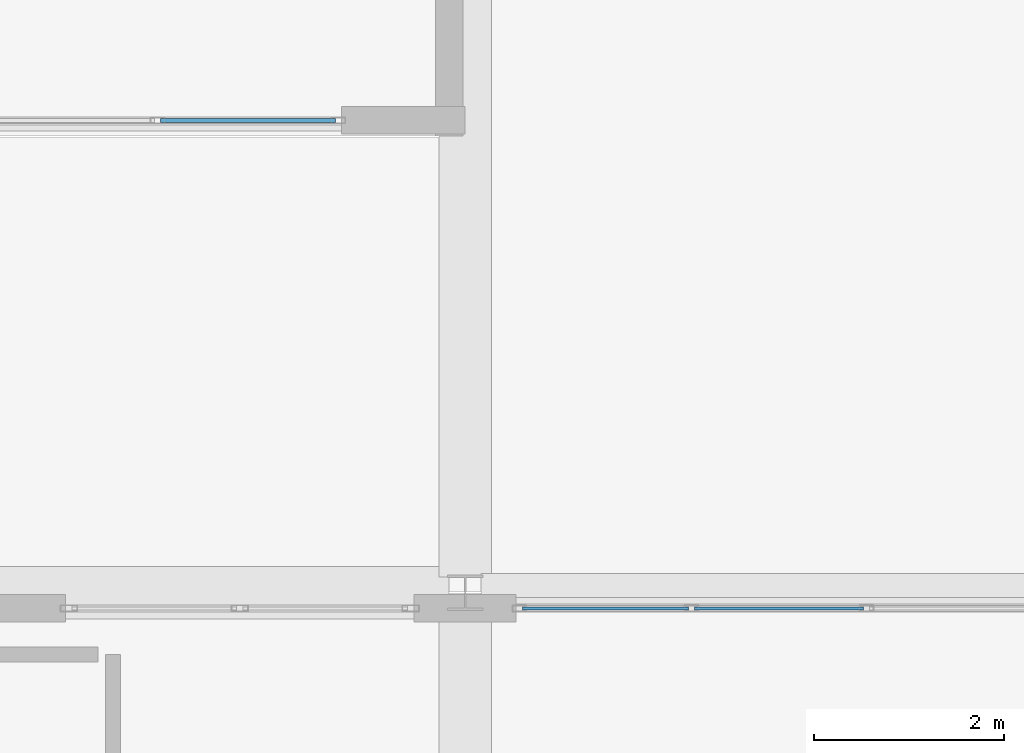
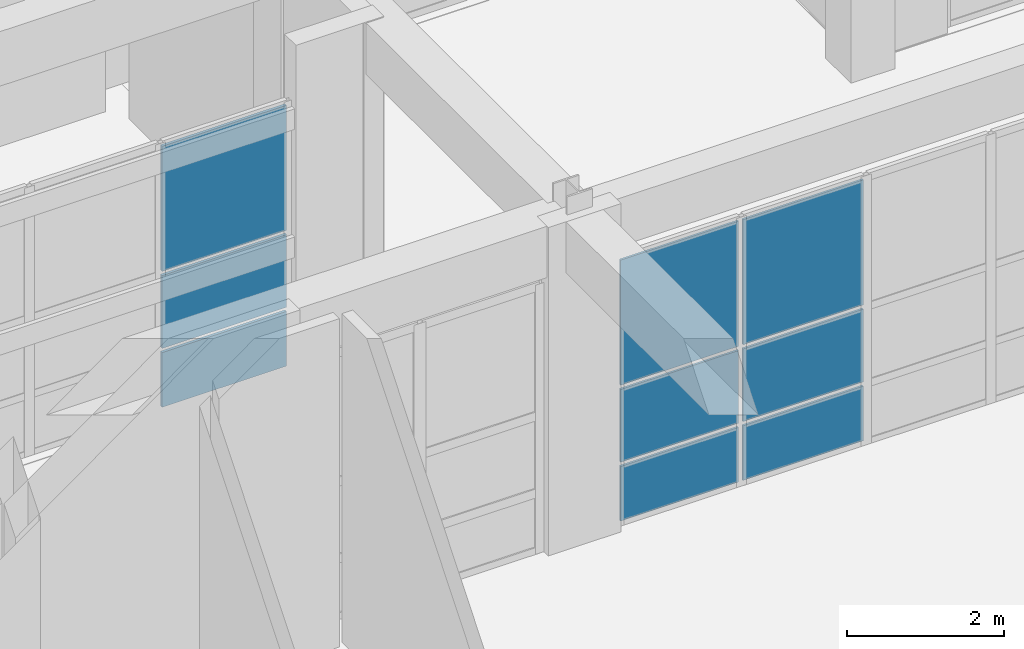
# One storey, part 117 of 148: 9 plates, 2 elements without a shape of their own.
"""IFC4 building model written with IfcOpenShell, lengths in metres."""

from ifc_helpers import new_model, si_unit, direction, frame, origin, origin_2d, place, context, subcontext, project, spatial, rectangle, extrude, material, layer, layer_set, type_object, element, aggregate, save


model = new_model("IFC4")

# Units and contexts
model_context = context("Model", 3, precision=1e-05, world=origin(), true_north=direction((0.0, 1.0)))
body_context = subcontext(model_context, "Body", "Model", "MODEL_VIEW")
ifc_project = project(units=[si_unit("LENGTHUNIT", "METRE"), si_unit("AREAUNIT", "SQUARE_METRE"), si_unit("VOLUMEUNIT", "CUBIC_METRE"), si_unit("PLANEANGLEUNIT", "RADIAN"), si_unit("MASSUNIT", "GRAM", prefix="KILO")], contexts=[model_context])

# Site, building, storey
site_placement = place(None, origin())
site = spatial("IfcSite", under=ifc_project, at=site_placement, CompositionType="ELEMENT")
building_placement = place(site_placement, origin())
building = spatial("IfcBuilding", under=site, at=building_placement, Name="Quendrovan Civic Courthouse", CompositionType="ELEMENT")
storey_placement = place(building_placement, origin())
storey = spatial("IfcBuildingStorey", under=building, at=storey_placement, Name="L01", CompositionType="ELEMENT", Elevation=0.0)

# Curtain wall, plates
ifc_material_1 = material(Name="Bronze anodised aluminium and low-E glass", Category="aluminium")
ifc_layer_1 = layer(ifc_material_1, 0.179931640625, Name="Bronze anodised aluminium and low-E glass")
ifc_layer_set_1 = layer_set([ifc_layer_1], Name="Bronze anodised aluminium and low-E glass")
curtain_wall_type_1 = type_object("IfcCurtainWallType", Name="CW-U74x42", PredefinedType="USERDEFINED", material=ifc_layer_set_1)
curtain_wall_1_placement = place(storey_placement, origin())
curtain_wall_1 = element("IfcCurtainWall", 1, at=curtain_wall_1_placement, inside=storey, type_object=curtain_wall_type_1, Name="L01 Unitised Hurricane Curtain Wall CW-053", ObjectType="UNITISED CURTAIN WALL", PredefinedType="USERDEFINED")
ifc_material_2 = material(Name="Laminated hurricane-impact low-E glass", Category="glass")
ifc_layer_2 = layer(ifc_material_2, 0.031982421875, Name="Laminated hurricane-impact low-E glass")
ifc_layer_set_2 = layer_set([ifc_layer_2], Name="Laminated hurricane-impact low-E glass")
plate_type_1 = type_object("IfcPlateType", Name="CW-PNL-2", PredefinedType="CURTAIN_PANEL", material=ifc_layer_set_2)
plate_1_placement = place(storey_placement, frame((93.87353515625, 80.235107421875, 0.06494140625), z_axis=(0.0, 0.0, 1.0), x_axis=(1.0, 0.0, 0.0)))
plate_1 = element("IfcPlate", 2, at=plate_1_placement, type_object=plate_type_1, Name="CW-053 panel 1.1", PredefinedType="CURTAIN_PANEL", context=body_context, shape_type="SweptSolid", body=[
    extrude(rectangle(XDim=1.7431640625, YDim=0.031982421875, at=origin_2d()), origin(), (0.0, 0.0, 1.0), 0.8525390625),
])
plate_2_placement = place(storey_placement, frame((93.87353515625, 80.235107421875, 0.982421875), z_axis=(0.0, 0.0, 1.0), x_axis=(1.0, 0.0, 0.0)))
plate_2 = element("IfcPlate", 3, at=plate_2_placement, type_object=plate_type_1, Name="CW-053 panel 1.2", PredefinedType="CURTAIN_PANEL", context=body_context, shape_type="SweptSolid", body=[
    extrude(rectangle(XDim=1.7431640625, YDim=0.031982421875, at=origin_2d()), origin(), (0.0, 0.0, 1.0), 1.135009765625),
])
plate_3_placement = place(storey_placement, frame((93.87353515625, 80.235107421875, 2.1826171875), z_axis=(0.0, 0.0, 1.0), x_axis=(1.0, 0.0, 0.0)))
plate_3 = element("IfcPlate", 4, at=plate_3_placement, type_object=plate_type_1, Name="CW-053 panel 1.3", PredefinedType="CURTAIN_PANEL", context=body_context, shape_type="SweptSolid", body=[
    extrude(rectangle(XDim=1.7431640625, YDim=0.031982421875, at=origin_2d()), origin(), (0.0, 0.0, 1.0), 1.952392578125),
])
plate_4_placement = place(storey_placement, frame((95.6982421875, 80.235107421875, 0.06494140625), z_axis=(0.0, 0.0, 1.0), x_axis=(1.0, 0.0, 0.0)))
plate_4 = element("IfcPlate", 5, at=plate_4_placement, type_object=plate_type_1, Name="CW-053 panel 2.1", PredefinedType="CURTAIN_PANEL", context=body_context, shape_type="SweptSolid", body=[
    extrude(rectangle(XDim=1.775634765625, YDim=0.031982421875, at=origin_2d()), origin(), (0.0, 0.0, 1.0), 0.8525390625),
])
plate_5_placement = place(storey_placement, frame((95.6982421875, 80.235107421875, 0.982421875), z_axis=(0.0, 0.0, 1.0), x_axis=(1.0, 0.0, 0.0)))
plate_5 = element("IfcPlate", 6, at=plate_5_placement, type_object=plate_type_1, Name="CW-053 panel 2.2", PredefinedType="CURTAIN_PANEL", context=body_context, shape_type="SweptSolid", body=[
    extrude(rectangle(XDim=1.775634765625, YDim=0.031982421875, at=origin_2d()), origin(), (0.0, 0.0, 1.0), 1.135009765625),
])
plate_6_placement = place(storey_placement, frame((95.6982421875, 80.235107421875, 2.1826171875), z_axis=(0.0, 0.0, 1.0), x_axis=(1.0, 0.0, 0.0)))
plate_6 = element("IfcPlate", 7, at=plate_6_placement, type_object=plate_type_1, Name="CW-053 panel 2.3", PredefinedType="CURTAIN_PANEL", context=body_context, shape_type="SweptSolid", body=[
    extrude(rectangle(XDim=1.775634765625, YDim=0.031982421875, at=origin_2d()), origin(), (0.0, 0.0, 1.0), 1.952392578125),
])
aggregate(curtain_wall_1, [plate_1, plate_2, plate_3, plate_4, plate_5, plate_6])

ifc_layer_3 = layer(ifc_material_1, 0.179931640625, Name="Bronze anodised aluminium and low-E glass")
ifc_layer_set_3 = layer_set([ifc_layer_3], Name="Bronze anodised aluminium and low-E glass")
curtain_wall_type_2 = type_object("IfcCurtainWallType", Name="CW-U58x42", PredefinedType="USERDEFINED", material=ifc_layer_set_3)
curtain_wall_2_placement = place(storey_placement, origin())
curtain_wall_2 = element("IfcCurtainWall", 8, at=curtain_wall_2_placement, inside=storey, type_object=curtain_wall_type_2, Name="L01 Unitised Hurricane Curtain Wall CW-051", ObjectType="UNITISED CURTAIN WALL", PredefinedType="USERDEFINED")
ifc_layer_4 = layer(ifc_material_2, 0.0419921875, Name="Laminated hurricane-impact low-E glass")
ifc_layer_set_4 = layer_set([ifc_layer_4], Name="Laminated hurricane-impact low-E glass")
plate_type_2 = type_object("IfcPlateType", Name="CW-PNL-4", PredefinedType="CURTAIN_PANEL", material=ifc_layer_set_4)
plate_7_placement = place(storey_placement, frame((90.1171875, 85.364990234375, 0.06494140625), z_axis=(0.0, 0.0, 1.0), x_axis=(-1.0, 0.0, 0.0)))
plate_7 = element("IfcPlate", 9, at=plate_7_placement, type_object=plate_type_2, Name="CW-051 panel 1.1", PredefinedType="CURTAIN_PANEL", context=body_context, shape_type="SweptSolid", body=[
    extrude(rectangle(XDim=1.8359375, YDim=0.0419921875, at=origin_2d()), origin(), (0.0, 0.0, 1.0), 0.8525390625),
])
plate_8_placement = place(storey_placement, frame((90.1171875, 85.364990234375, 0.982421875), z_axis=(0.0, 0.0, 1.0), x_axis=(-1.0, 0.0, 0.0)))
plate_8 = element("IfcPlate", 10, at=plate_8_placement, type_object=plate_type_2, Name="CW-051 panel 1.2", PredefinedType="CURTAIN_PANEL", context=body_context, shape_type="SweptSolid", body=[
    extrude(rectangle(XDim=1.8359375, YDim=0.0419921875, at=origin_2d()), origin(), (0.0, 0.0, 1.0), 1.135009765625),
])
plate_9_placement = place(storey_placement, frame((90.1171875, 85.364990234375, 2.1826171875), z_axis=(0.0, 0.0, 1.0), x_axis=(-1.0, 0.0, 0.0)))
plate_9 = element("IfcPlate", 11, at=plate_9_placement, type_object=plate_type_2, Name="CW-051 panel 1.3", PredefinedType="CURTAIN_PANEL", context=body_context, shape_type="SweptSolid", body=[
    extrude(rectangle(XDim=1.8359375, YDim=0.0419921875, at=origin_2d()), origin(), (0.0, 0.0, 1.0), 1.952392578125),
])
aggregate(curtain_wall_2, [plate_7, plate_8, plate_9])

save(model, "model.ifc")
